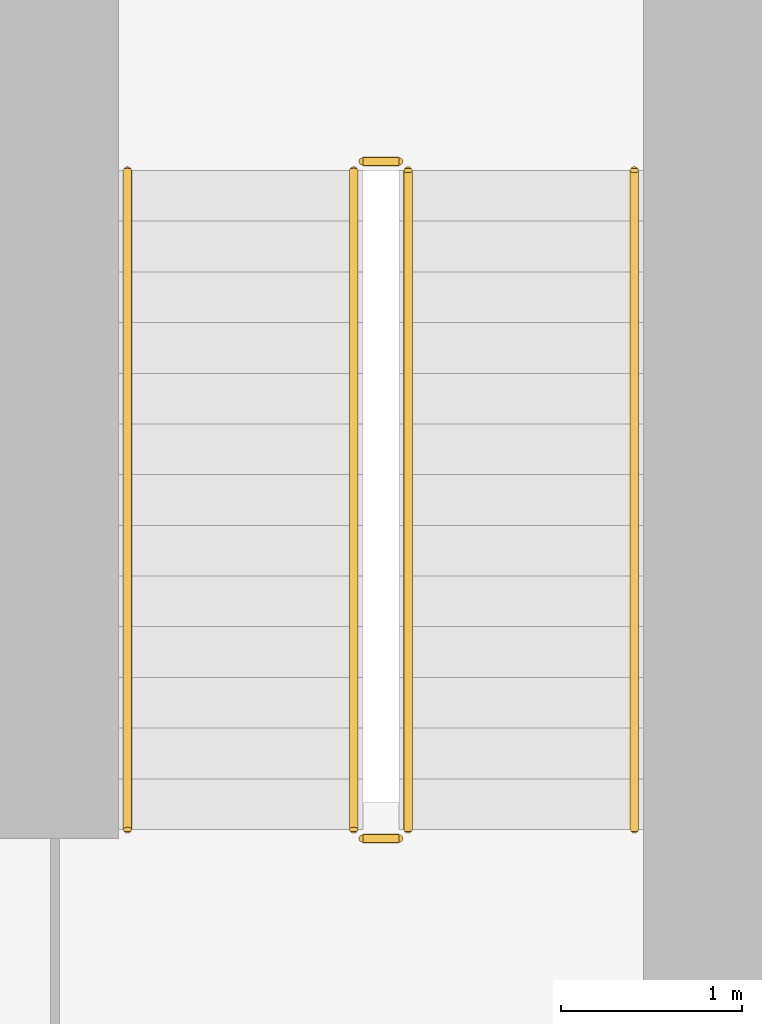
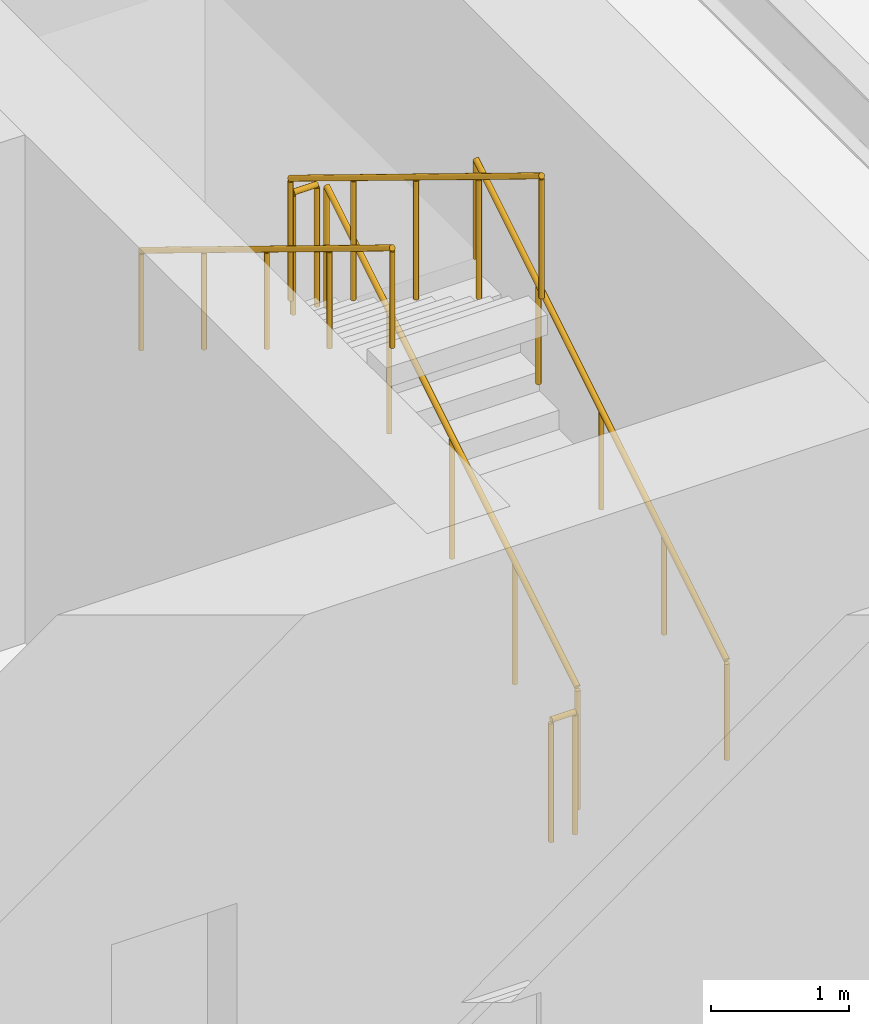
# One storey, part 13 of 13: 6 railings.
"""IFC4 building model written with IfcOpenShell, lengths in metres."""

from ifc_helpers import new_model, si_unit, direction, frame, origin, origin_2d, place, context, subcontext, project, spatial, circle, extrude, material, type_object, element, save


model = new_model("IFC4")

# Units and contexts
model_context = context("Model", 3, precision=1e-05, world=origin(), true_north=direction((0.0, 1.0)))
body_context = subcontext(model_context, "Body", "Model", "MODEL_VIEW")
ifc_project = project(units=[si_unit("LENGTHUNIT", "METRE"), si_unit("AREAUNIT", "SQUARE_METRE"), si_unit("VOLUMEUNIT", "CUBIC_METRE"), si_unit("PLANEANGLEUNIT", "RADIAN"), si_unit("MASSUNIT", "GRAM", prefix="KILO")], contexts=[model_context])

# Site, building, storey
site_placement = place(None, origin())
site = spatial("IfcSite", under=ifc_project, at=site_placement, CompositionType="ELEMENT")
building_placement = place(site_placement, origin())
building = spatial("IfcBuilding", under=site, at=building_placement, Name="Caelmar Bay Residences", CompositionType="ELEMENT")
storey_placement = place(building_placement, frame((0.0, 0.0, 5.39990234375)))
storey = spatial("IfcBuildingStorey", under=building, at=storey_placement, Name="L01", CompositionType="ELEMENT", Elevation=5.39990234375)

# Railings
ifc_material_1 = material(Name="Painted galvanized steel stair guard 1100 mm", Category="steel")
railing_type_1 = type_object("IfcRailingType", Name="RL-GRD-1100", PredefinedType="GUARDRAIL", material=ifc_material_1)
railing_1_placement = place(storey_placement, frame((57.85009765625, 38.699951171875, 0.171630859375)))
element("IfcRailing", 1, at=railing_1_placement, inside=storey, type_object=railing_type_1, Name="L01 ST2 stair guard 1", PredefinedType="GUARDRAIL", context=body_context, shape_type="SweptSolid", body=[
    extrude(circle(Radius=0.02392578125, at=origin_2d()), frame((0.0, 0.0, 1.076171875), z_axis=(0.0, 0.852865859571, 0.52213008492), x_axis=(-1.0, 0.0, 0.0)), (0.0, 0.0, 1.0), 4.26806640625),
    extrude(circle(Radius=0.02099609375, at=origin_2d()), origin(), (0.0, 0.0, 1.0), 1.052001953125),
    extrude(circle(Radius=0.02099609375, at=origin_2d()), frame((0.0, 0.91015625, 0.55712890625)), (0.0, 0.0, 1.0), 1.052001953125),
    extrude(circle(Radius=0.02099609375, at=origin_2d()), frame((0.0, 1.820068359375, 1.1142578125)), (0.0, 0.0, 1.0), 1.052001953125),
    extrude(circle(Radius=0.02099609375, at=origin_2d()), frame((0.0, 2.72998046875, 1.67138671875)), (0.0, 0.0, 1.0), 1.052001953125),
    extrude(circle(Radius=0.02099609375, at=origin_2d()), frame((0.0, 3.64013671875, 2.228515625)), (0.0, 0.0, 1.0), 1.052001953125),
])
railing_2_placement = place(storey_placement, frame((57.800048828125, 42.389892578125, 2.400146484375)))
element("IfcRailing", 2, at=railing_2_placement, inside=storey, type_object=railing_type_1, Name="L01 ST2 stair guard 2", PredefinedType="GUARDRAIL", context=body_context, shape_type="SweptSolid", body=[
    extrude(circle(Radius=0.02392578125, at=origin_2d()), frame((0.0, 0.0, 1.076171875), z_axis=(-1.0, 0.0, 0.0), x_axis=(0.0, -1.0, 0.0)), (0.0, 0.0, 1.0), 0.199951171875),
    extrude(circle(Radius=0.02099609375, at=origin_2d()), origin(), (0.0, 0.0, 1.0), 1.052001953125),
    extrude(circle(Radius=0.02099609375, at=origin_2d()), frame((-0.199951171875, 0.0, 0.0)), (0.0, 0.0, 1.0), 1.052001953125),
])
railing_3_placement = place(storey_placement, frame((57.550048828125, 42.340087890625, 2.571533203125)))
element("IfcRailing", 3, at=railing_3_placement, inside=storey, type_object=railing_type_1, Name="L01 ST2 stair guard 3", PredefinedType="GUARDRAIL", context=body_context, shape_type="SweptSolid", body=[
    extrude(circle(Radius=0.02392578125, at=origin_2d()), frame((0.0, 0.0, 1.076171875), z_axis=(0.0, -0.852865859571, 0.52213008492), x_axis=(1.0, 0.0, 0.0)), (0.0, 0.0, 1.0), 4.26806640625),
    extrude(circle(Radius=0.02099609375, at=origin_2d()), origin(), (0.0, 0.0, 1.0), 1.052001953125),
    extrude(circle(Radius=0.02099609375, at=origin_2d()), frame((0.0, -0.91015625, 0.55712890625)), (0.0, 0.0, 1.0), 1.052001953125),
    extrude(circle(Radius=0.02099609375, at=origin_2d()), frame((0.0, -1.820068359375, 1.1142578125)), (0.0, 0.0, 1.0), 1.052001953125),
    extrude(circle(Radius=0.02099609375, at=origin_2d()), frame((0.0, -2.72998046875, 1.67138671875)), (0.0, 0.0, 1.0), 1.052001953125),
    extrude(circle(Radius=0.02099609375, at=origin_2d()), frame((0.0, -3.64013671875, 2.228515625)), (0.0, 0.0, 1.0), 1.052001953125),
])
railing_4_placement = place(storey_placement, frame((57.800048828125, 38.64990234375, 0.0)))
element("IfcRailing", 4, at=railing_4_placement, inside=storey, type_object=railing_type_1, Name="L01 ST2 stair guard 4", PredefinedType="GUARDRAIL", context=body_context, shape_type="SweptSolid", body=[
    extrude(circle(Radius=0.02392578125, at=origin_2d()), frame((0.0, 0.0, 1.076171875), z_axis=(-1.0, 0.0, 0.0), x_axis=(0.0, -1.0, 0.0)), (0.0, 0.0, 1.0), 0.199951171875),
    extrude(circle(Radius=0.02099609375, at=origin_2d()), origin(), (0.0, 0.0, 1.0), 1.052001953125),
    extrude(circle(Radius=0.02099609375, at=origin_2d()), frame((-0.199951171875, 0.0, 0.0)), (0.0, 0.0, 1.0), 1.052001953125),
])
ifc_material_2 = material(Name="Brushed bronze stainless-steel tubular handrail 900 mm", Category="steel")
railing_type_2 = type_object("IfcRailingType", Name="RL-HND-900", PredefinedType="HANDRAIL", material=ifc_material_2)
railing_5_placement = place(storey_placement, frame((59.10009765625, 38.699951171875, 0.171630859375)))
element("IfcRailing", 5, at=railing_5_placement, inside=storey, type_object=railing_type_2, Name="L01 ST2 stair handrail 1", PredefinedType="HANDRAIL", context=body_context, shape_type="SweptSolid", body=[
    extrude(circle(Radius=0.02392578125, at=origin_2d()), frame((0.0, 0.0, 0.8759765625), z_axis=(0.0, 0.852865859571, 0.52213008492), x_axis=(-1.0, 0.0, 0.0)), (0.0, 0.0, 1.0), 4.26806640625),
    extrude(circle(Radius=0.02099609375, at=origin_2d()), origin(), (0.0, 0.0, 1.0), 0.851806640625),
    extrude(circle(Radius=0.02099609375, at=origin_2d()), frame((0.0, 0.91015625, 0.55712890625)), (0.0, 0.0, 1.0), 0.851806640625),
    extrude(circle(Radius=0.02099609375, at=origin_2d()), frame((0.0, 1.820068359375, 1.1142578125)), (0.0, 0.0, 1.0), 0.851806640625),
    extrude(circle(Radius=0.02099609375, at=origin_2d()), frame((0.0, 2.72998046875, 1.67138671875)), (0.0, 0.0, 1.0), 0.851806640625),
    extrude(circle(Radius=0.02099609375, at=origin_2d()), frame((0.0, 3.64013671875, 2.228515625)), (0.0, 0.0, 1.0), 0.851806640625),
])
railing_6_placement = place(storey_placement, frame((56.300048828125, 42.340087890625, 2.571533203125)))
element("IfcRailing", 6, at=railing_6_placement, inside=storey, type_object=railing_type_2, Name="L01 ST2 stair handrail 2", PredefinedType="HANDRAIL", context=body_context, shape_type="SweptSolid", body=[
    extrude(circle(Radius=0.02392578125, at=origin_2d()), frame((0.0, 0.0, 0.8759765625), z_axis=(0.0, -0.852865859571, 0.52213008492), x_axis=(1.0, 0.0, 0.0)), (0.0, 0.0, 1.0), 4.26806640625),
    extrude(circle(Radius=0.02099609375, at=origin_2d()), origin(), (0.0, 0.0, 1.0), 0.851806640625),
    extrude(circle(Radius=0.02099609375, at=origin_2d()), frame((0.0, -0.91015625, 0.55712890625)), (0.0, 0.0, 1.0), 0.851806640625),
    extrude(circle(Radius=0.02099609375, at=origin_2d()), frame((0.0, -1.820068359375, 1.1142578125)), (0.0, 0.0, 1.0), 0.851806640625),
    extrude(circle(Radius=0.02099609375, at=origin_2d()), frame((0.0, -2.72998046875, 1.67138671875)), (0.0, 0.0, 1.0), 0.851806640625),
    extrude(circle(Radius=0.02099609375, at=origin_2d()), frame((0.0, -3.64013671875, 2.228515625)), (0.0, 0.0, 1.0), 0.851806640625),
])

save(model, "model.ifc")
